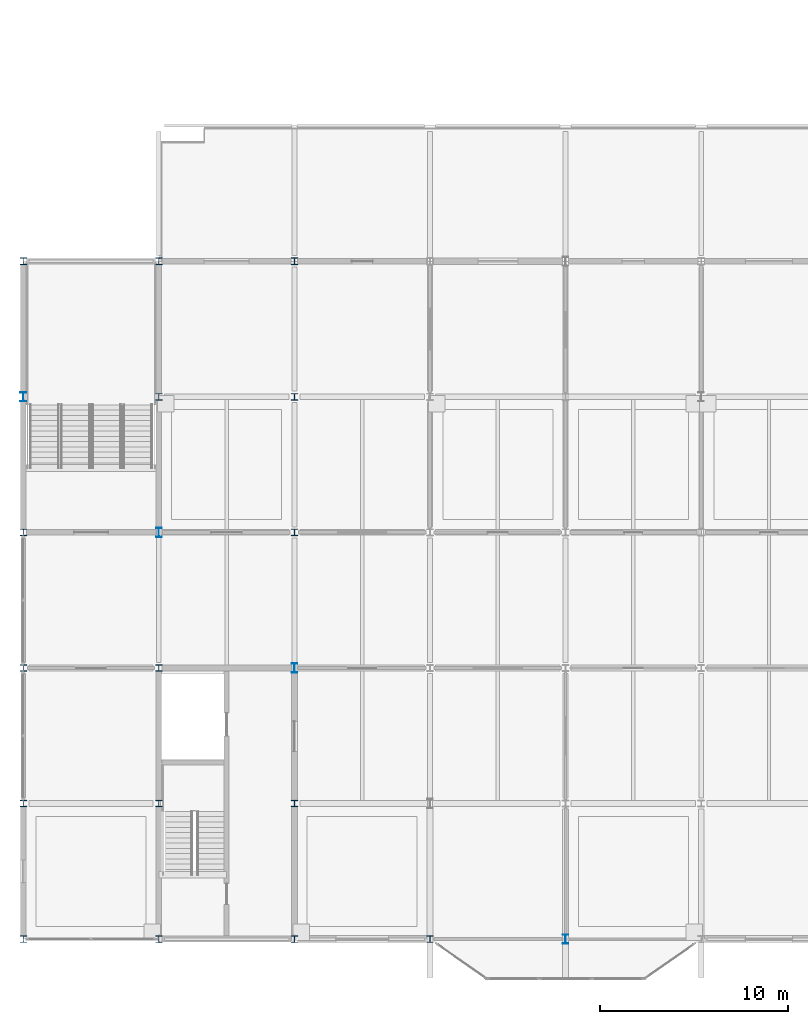
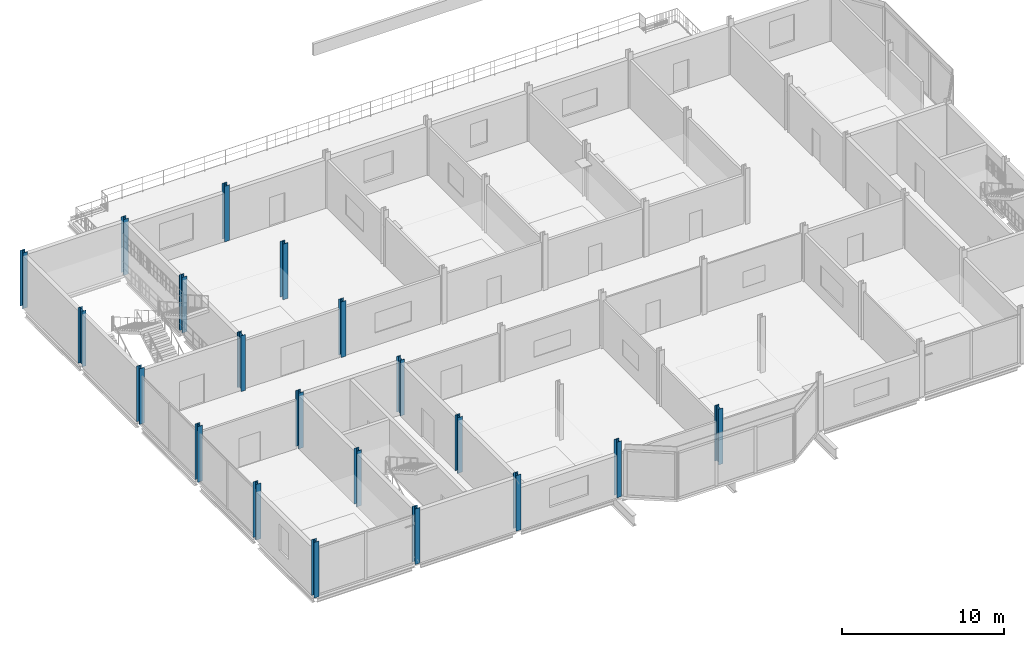
# One storey, part 1 of 26: 20 columns.
"""IFC4 building model written with IfcOpenShell, lengths in metres."""

from ifc_helpers import new_model, si_unit, direction, frame, origin, origin_2d, place, context, subcontext, project, spatial, i_section, extrude, material, material_profile, profile_set, type_object, element, save


model = new_model("IFC4")

# Units and contexts
model_context = context("Model", 3, precision=1e-05, world=origin(), true_north=direction((0.0, 1.0)))
body_context = subcontext(model_context, "Body", "Model", "MODEL_VIEW")
ifc_project = project(units=[si_unit("LENGTHUNIT", "METRE"), si_unit("AREAUNIT", "SQUARE_METRE"), si_unit("VOLUMEUNIT", "CUBIC_METRE"), si_unit("PLANEANGLEUNIT", "RADIAN"), si_unit("MASSUNIT", "GRAM", prefix="KILO")], contexts=[model_context])

# Site, building, storey
site_placement = place(None, origin())
site = spatial("IfcSite", under=ifc_project, at=site_placement, CompositionType="ELEMENT")
building_placement = place(site_placement, origin())
building = spatial("IfcBuilding", under=site, at=building_placement, Name="Vesperath Aquatics Centre", CompositionType="ELEMENT")
storey_placement = place(building_placement, frame((0.0, 0.0, 19.199951171875)))
storey = spatial("IfcBuildingStorey", under=building, at=storey_placement, Name="L04", CompositionType="ELEMENT", Elevation=19.199951171875)

# Columns
ifc_material_1 = material(Name="Steel Q355C", Category="steel")
ifc_material_profile_1 = material_profile(ifc_material_1, i_section(OverallWidth=0.35009765625, OverallDepth=0.35009765625, WebThickness=0.011962890625, FlangeThickness=0.01904296875, FilletRadius=0.02001953125, at=origin_2d()), Name="HW 350x350x12x19")
ifc_profile_set_1 = profile_set([ifc_material_profile_1], Name="Steel Q355C")
column_type_1 = type_object("IfcColumnType", Name="CL-C11", PredefinedType="COLUMN", material=ifc_profile_set_1)
for number, where, z_axis, x_axis, name in (
    (1, (115.199951171875, 0.0, 0.0), (0.0, 0.0, 1.0), (1.0, 0.0, 0.0), "Column C11 L04 17/A"),
    (2, (115.199951171875, 7.199951171875, 0.0), (0.0, 0.0, 1.0), (1.0, 0.0, 0.0), "Column C11 L04 17/B"),
    (3, (115.199951171875, 14.39990234375, 0.0), (0.0, 0.0, 1.0), (1.0, 0.0, 0.0), "Column C11 L04 17/C"),
    (4, (115.199951171875, 21.60009765625, 0.0), (0.0, 0.0, 1.0), (1.0, 0.0, 0.0), "Column C11 L04 17/D"),
    (5, (115.199951171875, 36.0, 0.0), (0.0, 0.0, 1.0), (1.0, 0.0, 0.0), "Column C11 L04 17/F"),
    (6, (122.39990234375, 0.0, 0.0), (0.0, 0.0, 1.0), (1.0, 0.0, 0.0), "Column C11 L04 18/A"),
    (7, (122.39990234375, 7.199951171875, 0.0), (0.0, 0.0, 1.0), (1.0, 0.0, 0.0), "Column C11 L04 18/B"),
    (8, (122.39990234375, 14.39990234375, 0.0), (0.0, 0.0, 1.0), (1.0, 0.0, 0.0), "Column C11 L04 18/C"),
    (9, (122.39990234375, 28.800048828125, 0.0), (0.0, 0.0, 1.0), (1.0, 0.0, 0.0), "Column C11 L04 18/E"),
    (10, (122.39990234375, 36.0, 0.0), (0.0, 0.0, 1.0), (1.0, 0.0, 0.0), "Column C11 L04 18/F"),
    (11, (129.60009765625, 0.0, 0.0), (0.0, 0.0, 1.0), (1.0, 0.0, 0.0), "Column C11 L04 19/A"),
    (12, (129.60009765625, 7.199951171875, 0.0), (0.0, 0.0, 1.0), (1.0, 0.0, 0.0), "Column C11 L04 19/B"),
    (13, (129.60009765625, 21.60009765625, 0.0), (0.0, 0.0, 1.0), (1.0, 0.0, 0.0), "Column C11 L04 19/D"),
    (14, (129.60009765625, 28.800048828125, 0.0), (0.0, 0.0, 1.0), (1.0, 0.0, 0.0), "Column C11 L04 19/E"),
    (15, (129.60009765625, 36.0, 0.0), (0.0, 0.0, 1.0), (1.0, 0.0, 0.0), "Column C11 L04 19/F"),
    (16, (136.800048828125, 0.0, 0.0), (0.0, 0.0, 1.0), (1.0, 0.0, 0.0), "Column C11 L04 20/A"),
):
    element("IfcColumn", number, at=place(storey_placement, frame(where, z_axis=z_axis, x_axis=x_axis)), inside=storey, type_object=column_type_1, Name=name, PredefinedType="COLUMN", context=body_context, shape_type="SweptSolid", body=[
        extrude(i_section(OverallWidth=0.35009765625, OverallDepth=0.35009765625, WebThickness=0.011962890625, FlangeThickness=0.01904296875, FilletRadius=0.02001953125, at=origin_2d()), origin(), (0.0, 0.0, 1.0), 4.199951171875),
    ])
ifc_material_2 = material(Name="Steel Q355D", Category="steel")
ifc_material_profile_2 = material_profile(ifc_material_2, i_section(OverallWidth=0.300048828125, OverallDepth=0.488037109375, WebThickness=0.010986328125, FlangeThickness=0.01806640625, FilletRadius=0.02587890625, at=origin_2d()), Name="HM 488x300x11x18")
ifc_profile_set_2 = profile_set([ifc_material_profile_2], Name="Steel Q355D")
column_type_2 = type_object("IfcColumnType", Name="CL-C18", PredefinedType="COLUMN", material=ifc_profile_set_2)
for number, where, z_axis, x_axis, name in (
    (17, (115.199951171875, 28.800048828125, 0.0), (0.0, 0.0, 1.0), (1.0, 0.0, 0.0), "Column C18 L04 17/E"),
    (18, (122.39990234375, 21.60009765625, 0.0), (0.0, 0.0, 1.0), (1.0, 0.0, 0.0), "Column C18 L04 18/D"),
    (19, (129.60009765625, 14.39990234375, 0.0), (0.0, 0.0, 1.0), (1.0, 0.0, 0.0), "Column C18 L04 19/C"),
    (20, (144.0, 0.0, 0.0), (0.0, 0.0, 1.0), (1.0, 0.0, 0.0), "Column C18 L04 21/A"),
):
    element("IfcColumn", number, at=place(storey_placement, frame(where, z_axis=z_axis, x_axis=x_axis)), inside=storey, type_object=column_type_2, Name=name, PredefinedType="COLUMN", context=body_context, shape_type="SweptSolid", body=[
        extrude(i_section(OverallWidth=0.300048828125, OverallDepth=0.488037109375, WebThickness=0.010986328125, FlangeThickness=0.01806640625, FilletRadius=0.02587890625, at=origin_2d()), origin(), (0.0, 0.0, 1.0), 4.199951171875),
    ])

save(model, "model.ifc")
